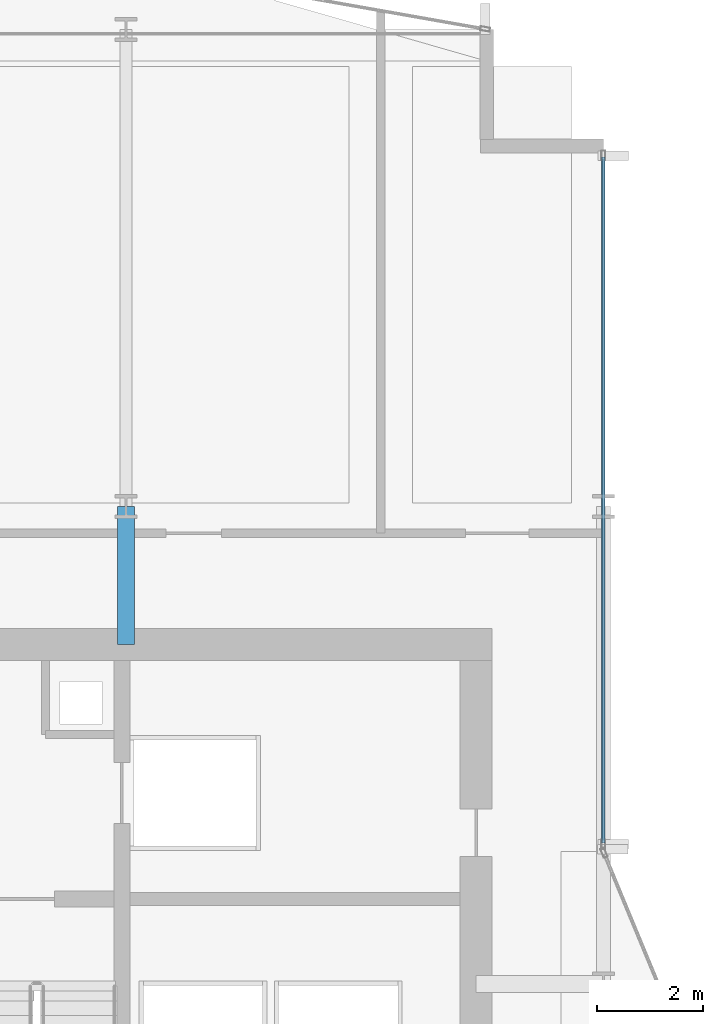
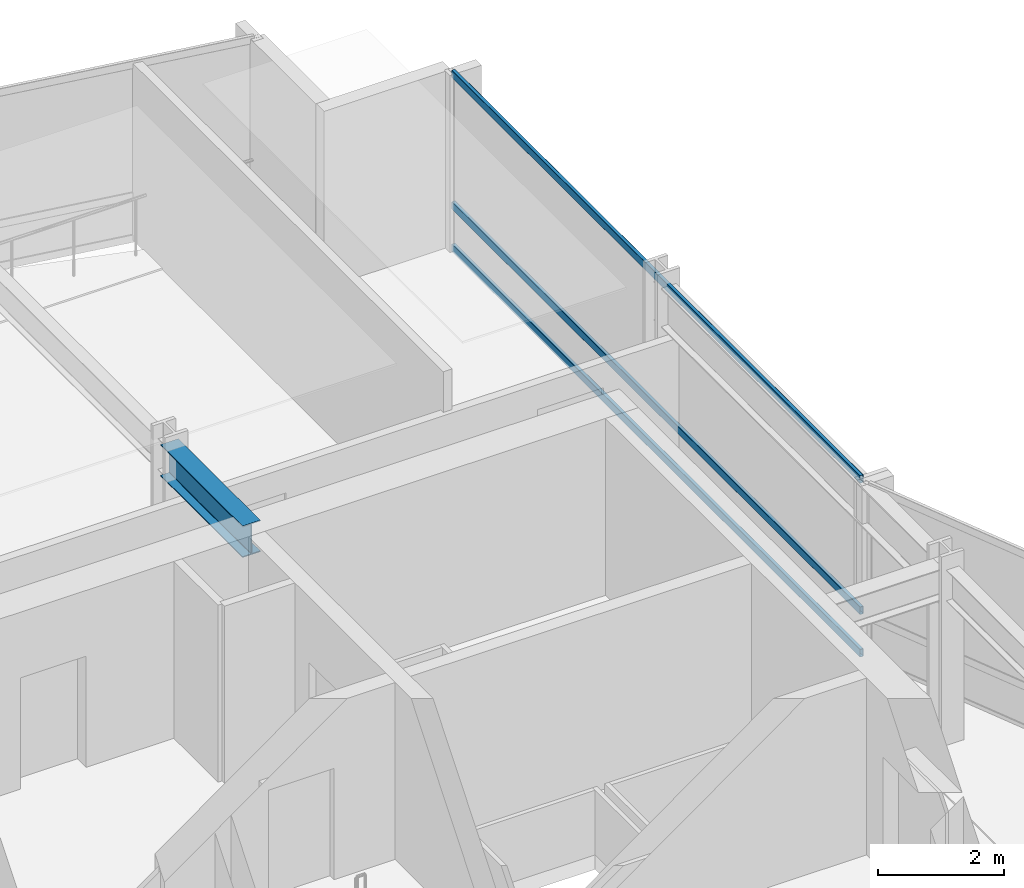
# One storey, part 18 of 29: 3 members, 1 beam, 1 element without a shape of its own.
"""IFC4 building model written with IfcOpenShell, lengths in metres."""

from ifc_helpers import new_model, si_unit, direction, frame, origin, origin_2d, place, context, subcontext, project, spatial, hollow_rectangle, i_section, extrude, material, layer, layer_set, material_profile, profile_set, type_object, element, aggregate, save


model = new_model("IFC4")

# Units and contexts
model_context = context("Model", 3, precision=1e-05, world=origin(), true_north=direction((0.0, 1.0)))
body_context = subcontext(model_context, "Body", "Model", "MODEL_VIEW")
ifc_project = project(units=[si_unit("LENGTHUNIT", "METRE"), si_unit("AREAUNIT", "SQUARE_METRE"), si_unit("VOLUMEUNIT", "CUBIC_METRE"), si_unit("PLANEANGLEUNIT", "RADIAN"), si_unit("MASSUNIT", "GRAM", prefix="KILO")], contexts=[model_context])

# Site, building, storey
site_placement = place(None, origin())
site = spatial("IfcSite", under=ifc_project, at=site_placement, CompositionType="ELEMENT")
building_placement = place(site_placement, origin())
building = spatial("IfcBuilding", under=site, at=building_placement, Name="Solvaryn Broadcast Tower", CompositionType="ELEMENT")
storey_placement = place(building_placement, frame((0.0, 0.0, 117.39990234375)))
storey = spatial("IfcBuildingStorey", under=building, at=storey_placement, Name="L28", CompositionType="ELEMENT", Elevation=117.39990234375)

# Beam
ifc_material_1 = material(Name="Steel ASTM A992 Grade 50", Category="steel")
ifc_material_profile_1 = material_profile(ifc_material_1, i_section(OverallWidth=0.323974609375, OverallDepth=0.611083984375, WebThickness=0.0126953125, FlangeThickness=0.01904296875, FilletRadius=0.014892578125, at=origin_2d()))
ifc_profile_set_1 = profile_set([ifc_material_profile_1], Name="Steel ASTM A992 Grade 50")
beam_type = type_object("IfcBeamType", Name="BM-B1-W24X104", PredefinedType="BEAM", material=ifc_profile_set_1)
beam_placement = place(storey_placement, frame((18.0, 42.39990234375, 3.114501953125), z_axis=(0.0, 1.0, 0.0), x_axis=(-1.0, 0.0, 0.0)))
element("IfcBeam", 1, at=beam_placement, inside=storey, type_object=beam_type, Name="L28 Core Tie Beam CTW3", PredefinedType="BEAM", context=body_context, shape_type="SweptSolid", body=[
    extrude(i_section(OverallWidth=0.323974609375, OverallDepth=0.611083984375, WebThickness=0.0126953125, FlangeThickness=0.01904296875, FilletRadius=0.014892578125, at=origin_2d()), origin(), (0.0, 0.0, 1.0), 2.60009765625),
])

# Curtain wall, members
ifc_material_2 = material(Name="Aluminium and Terracotta Unitised Curtain Wall", Category="masonry")
ifc_layer = layer(ifc_material_2, 0.199951171875)
ifc_layer_set = layer_set([ifc_layer], Name="CW-SYS2-LOWMID")
curtain_wall_type = type_object("IfcCurtainWallType", Name="CW-SYS2-LOWMID", PredefinedType="NOTDEFINED", material=ifc_layer_set)
curtain_wall_placement = place(storey_placement, origin())
curtain_wall = element("IfcCurtainWall", 2, at=curtain_wall_placement, inside=storey, type_object=curtain_wall_type, Name="L28 Curtain Wall IV", PredefinedType="NOTDEFINED")
ifc_material_3 = material(Name="Anodised Aluminium 6063-T6", Category="aluminium")
ifc_material_profile_2 = material_profile(ifc_material_3, hollow_rectangle(XDim=0.06494140625, YDim=0.14990234375, WallThickness=0.00390625, InnerFilletRadius=0.00390625, OuterFilletRadius=0.008056640625, at=origin_2d()))
ifc_profile_set_2 = profile_set([ifc_material_profile_2], Name="Anodised Aluminium 6063-T6")
member_type = type_object("IfcMemberType", Name="CW-TRN-150", PredefinedType="USERDEFINED", material=ifc_profile_set_2)
member_1_placement = place(storey_placement, frame((27.0, 51.590087890625, 0.030029296875), z_axis=(0.0, -1.0, 0.0), x_axis=(1.0, 0.0, 0.0)))
member_1 = element("IfcMember", 3, at=member_1_placement, type_object=member_type, Name="CWS2 transom 1.1", ObjectType="TRANSOM", PredefinedType="USERDEFINED", context=body_context, shape_type="SweptSolid", body=[
    extrude(hollow_rectangle(XDim=0.06494140625, YDim=0.14990234375, WallThickness=0.00390625, InnerFilletRadius=0.00390625, OuterFilletRadius=0.008056640625, at=origin_2d()), origin(), (0.0, 0.0, 1.0), 12.93017578125),
])
member_2_placement = place(storey_placement, frame((27.0, 51.590087890625, 0.85009765625), z_axis=(0.0, -1.0, 0.0), x_axis=(1.0, 0.0, 0.0)))
member_2 = element("IfcMember", 4, at=member_2_placement, type_object=member_type, Name="CWS2 transom 1.2", ObjectType="TRANSOM", PredefinedType="USERDEFINED", context=body_context, shape_type="SweptSolid", body=[
    extrude(hollow_rectangle(XDim=0.06494140625, YDim=0.14990234375, WallThickness=0.00390625, InnerFilletRadius=0.00390625, OuterFilletRadius=0.008056640625, at=origin_2d()), origin(), (0.0, 0.0, 1.0), 12.93017578125),
])
member_3_placement = place(storey_placement, frame((27.0, 51.590087890625, 3.39013671875), z_axis=(0.0, -1.0, 0.0), x_axis=(1.0, 0.0, 0.0)))
member_3 = element("IfcMember", 5, at=member_3_placement, type_object=member_type, Name="CWS2 transom 1.3", ObjectType="TRANSOM", PredefinedType="USERDEFINED", context=body_context, shape_type="SweptSolid", body=[
    extrude(hollow_rectangle(XDim=0.06494140625, YDim=0.14990234375, WallThickness=0.00390625, InnerFilletRadius=0.00390625, OuterFilletRadius=0.008056640625, at=origin_2d()), origin(), (0.0, 0.0, 1.0), 12.93017578125),
])
aggregate(curtain_wall, [member_1, member_2, member_3])

save(model, "model.ifc")
